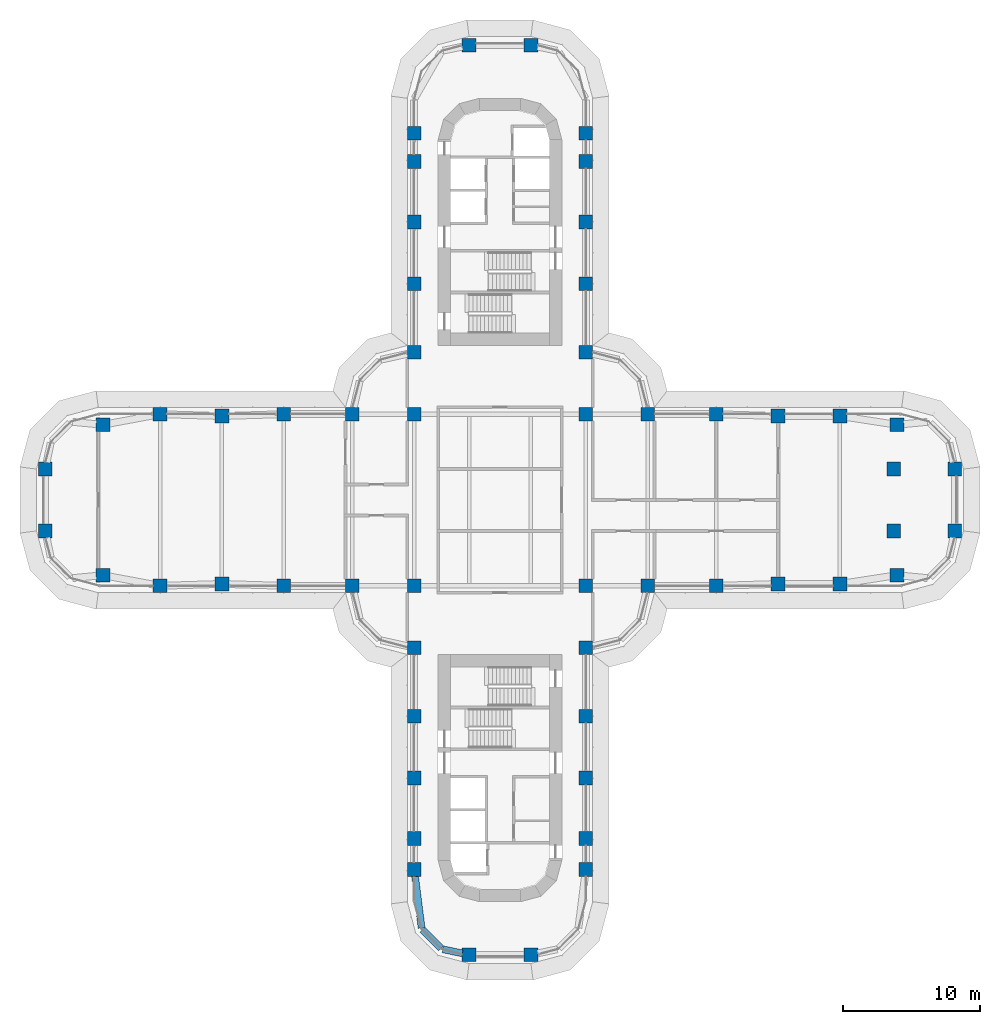
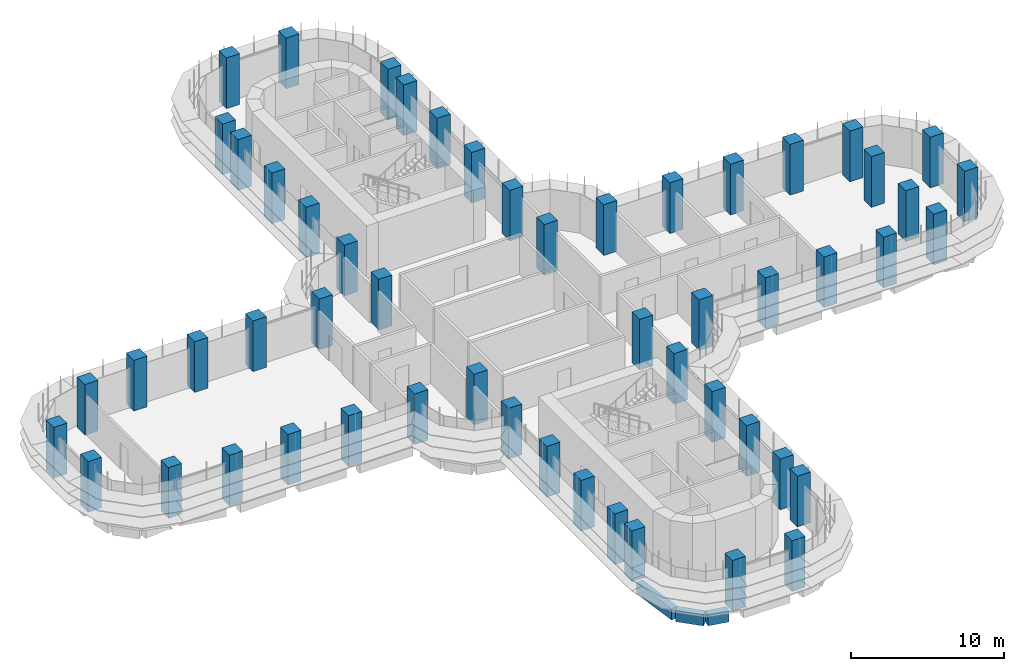
# One storey, part 1 of 23: 54 columns, 3 beams.
"""IFC4 building model written with IfcOpenShell, lengths in metres."""

from ifc_helpers import new_model, si_unit, direction, frame, origin, origin_2d, place, context, subcontext, project, spatial, rectangle, extrude, material, material_profile, profile_set, type_object, element, save


model = new_model("IFC4")

# Units and contexts
model_context = context("Model", 3, precision=1e-05, world=origin(), true_north=direction((0.0, 1.0)))
body_context = subcontext(model_context, "Body", "Model", "MODEL_VIEW")
ifc_project = project(units=[si_unit("LENGTHUNIT", "METRE"), si_unit("AREAUNIT", "SQUARE_METRE"), si_unit("VOLUMEUNIT", "CUBIC_METRE"), si_unit("PLANEANGLEUNIT", "RADIAN"), si_unit("MASSUNIT", "GRAM", prefix="KILO")], contexts=[model_context])

# Site, building, storey
site_placement = place(None, origin())
site = spatial("IfcSite", under=ifc_project, at=site_placement, CompositionType="ELEMENT")
building_placement = place(site_placement, origin())
building = spatial("IfcBuilding", under=site, at=building_placement, Name="Zarbagh Exchange Tower", CompositionType="ELEMENT")
storey_placement = place(building_placement, frame((0.0, 0.0, 77.39990234375)))
storey = spatial("IfcBuildingStorey", under=building, at=storey_placement, Name="L17", CompositionType="ELEMENT", Elevation=77.39990234375)

# Columns
ifc_material = material(Name="Concrete C60/75", Category="concrete")
ifc_material_profile_1 = material_profile(ifc_material, rectangle(XDim=1.0, YDim=1.0, at=origin_2d()), Name="RC column 1000 x 1000 C60/75")
ifc_profile_set_1 = profile_set([ifc_material_profile_1], Name="Concrete C60/75")
column_type = type_object("IfcColumnType", Name="RC column 1000 x 1000 C60/75", PredefinedType="COLUMN", material=ifc_profile_set_1)
for number, where, z_axis, x_axis, name in (
    (1, (-33.110107421875, -2.25, 0.0), (0.0, 0.0, 1.0), (1.0, 0.0, 0.0), "C2 10/S"),
    (2, (-33.110107421875, 2.25, 0.0), (0.0, 0.0, 1.0), (1.0, 0.0, 0.0), "C2 10/T"),
    (3, (-28.907958984375, -5.47509765625, 0.0), (0.0, 0.0, 1.0), (1.0, 0.0, 0.0), "C2 11/R"),
    (4, (-28.907958984375, 5.47509765625, 0.0), (0.0, 0.0, 1.0), (1.0, 0.0, 0.0), "C2 11/U"),
    (5, (-24.75, -6.25, 0.0), (0.0, 0.0, 1.0), (1.0, 0.0, 0.0), "C2 12/R"),
    (6, (-24.75, 6.25, 0.0), (0.0, 0.0, 1.0), (1.0, 0.0, 0.0), "C2 12/U"),
    (7, (-20.25, -6.110107421875, 0.0), (0.0, 0.0, 1.0), (1.0, 0.0, 0.0), "C2 13/R"),
    (8, (-20.25, 6.110107421875, 0.0), (0.0, 0.0, 1.0), (1.0, 0.0, 0.0), "C2 13/U"),
    (9, (-15.75, -6.25, 0.0), (0.0, 0.0, 1.0), (1.0, 0.0, 0.0), "C2 14/R"),
    (10, (-15.75, 6.25, 0.0), (0.0, 0.0, 1.0), (1.0, 0.0, 0.0), "C2 14/U"),
    (11, (-10.75, -6.25, 0.0), (0.0, 0.0, 1.0), (1.0, 0.0, 0.0), "C2 15/R"),
    (12, (-10.75, 6.25, 0.0), (0.0, 0.0, 1.0), (1.0, 0.0, 0.0), "C2 15/U"),
    (13, (-6.25, -26.89990234375, 0.0), (0.0, 0.0, 1.0), (1.0, 0.0, 0.0), "C2 16/L"),
    (14, (-6.25, -24.64990234375, 0.0), (0.0, 0.0, 1.0), (1.0, 0.0, 0.0), "C2 16/M"),
    (15, (-6.25, -20.25, 0.0), (0.0, 0.0, 1.0), (1.0, 0.0, 0.0), "C2 16/N"),
    (16, (-6.25, -15.75, 0.0), (0.0, 0.0, 1.0), (1.0, 0.0, 0.0), "C2 16/P"),
    (17, (-6.25, -10.75, 0.0), (0.0, 0.0, 1.0), (1.0, 0.0, 0.0), "C2 16/Q"),
    (18, (-6.25, -6.25, 0.0), (0.0, 0.0, 1.0), (1.0, 0.0, 0.0), "C2 16/R"),
    (19, (-6.25, 6.25, 0.0), (0.0, 0.0, 1.0), (1.0, 0.0, 0.0), "C2 16/U"),
    (20, (-6.25, 10.75, 0.0), (0.0, 0.0, 1.0), (1.0, 0.0, 0.0), "C2 16/V"),
    (21, (-6.25, 15.75, 0.0), (0.0, 0.0, 1.0), (1.0, 0.0, 0.0), "C2 16/W"),
    (22, (-6.25, 20.25, 0.0), (0.0, 0.0, 1.0), (1.0, 0.0, 0.0), "C2 16/X"),
    (23, (-6.25, 24.64990234375, 0.0), (0.0, 0.0, 1.0), (1.0, 0.0, 0.0), "C2 16/Y"),
    (24, (-6.25, 26.699951171875, 0.0), (0.0, 0.0, 1.0), (1.0, 0.0, 0.0), "C2 16/Z"),
    (25, (-2.25, -33.110107421875, 0.0), (0.0, 0.0, 1.0), (1.0, 0.0, 0.0), "C2 17/K"),
    (26, (-2.25, 33.110107421875, 0.0), (0.0, 0.0, 1.0), (1.0, 0.0, 0.0), "C2 17/AA"),
    (27, (2.25, -33.110107421875, 0.0), (0.0, 0.0, 1.0), (1.0, 0.0, 0.0), "C2 18/K"),
    (28, (2.25, 33.110107421875, 0.0), (0.0, 0.0, 1.0), (1.0, 0.0, 0.0), "C2 18/AA"),
    (29, (6.25, -26.89990234375, 0.0), (0.0, 0.0, 1.0), (1.0, 0.0, 0.0), "C2 19/L"),
    (30, (6.25, -24.64990234375, 0.0), (0.0, 0.0, 1.0), (1.0, 0.0, 0.0), "C2 19/M"),
    (31, (6.25, -20.25, 0.0), (0.0, 0.0, 1.0), (1.0, 0.0, 0.0), "C2 19/N"),
    (32, (6.25, -15.75, 0.0), (0.0, 0.0, 1.0), (1.0, 0.0, 0.0), "C2 19/P"),
    (33, (6.25, -10.75, 0.0), (0.0, 0.0, 1.0), (1.0, 0.0, 0.0), "C2 19/Q"),
    (34, (6.25, -6.25, 0.0), (0.0, 0.0, 1.0), (1.0, 0.0, 0.0), "C2 19/R"),
    (35, (6.25, 6.25, 0.0), (0.0, 0.0, 1.0), (1.0, 0.0, 0.0), "C2 19/U"),
    (36, (6.25, 10.75, 0.0), (0.0, 0.0, 1.0), (1.0, 0.0, 0.0), "C2 19/V"),
    (37, (6.25, 15.75, 0.0), (0.0, 0.0, 1.0), (1.0, 0.0, 0.0), "C2 19/W"),
    (38, (6.25, 20.25, 0.0), (0.0, 0.0, 1.0), (1.0, 0.0, 0.0), "C2 19/X"),
    (39, (6.25, 24.64990234375, 0.0), (0.0, 0.0, 1.0), (1.0, 0.0, 0.0), "C2 19/Y"),
    (40, (6.25, 26.699951171875, 0.0), (0.0, 0.0, 1.0), (1.0, 0.0, 0.0), "C2 19/Z"),
    (41, (10.75, -6.25, 0.0), (0.0, 0.0, 1.0), (1.0, 0.0, 0.0), "C2 20/R"),
    (42, (10.75, 6.25, 0.0), (0.0, 0.0, 1.0), (1.0, 0.0, 0.0), "C2 20/U"),
    (43, (15.75, -6.25, 0.0), (0.0, 0.0, 1.0), (1.0, 0.0, 0.0), "C2 21/R"),
    (44, (15.75, 6.25, 0.0), (0.0, 0.0, 1.0), (1.0, 0.0, 0.0), "C2 21/U"),
    (45, (20.25, -6.110107421875, 0.0), (0.0, 0.0, 1.0), (1.0, 0.0, 0.0), "C2 22/R"),
    (46, (20.25, 6.110107421875, 0.0), (0.0, 0.0, 1.0), (1.0, 0.0, 0.0), "C2 22/U"),
    (47, (24.75, -6.110107421875, 0.0), (0.0, 0.0, 1.0), (1.0, 0.0, 0.0), "C2 23/R"),
    (48, (24.75, 6.110107421875, 0.0), (0.0, 0.0, 1.0), (1.0, 0.0, 0.0), "C2 23/U"),
    (49, (28.907958984375, -5.47509765625, 0.0), (0.0, 0.0, 1.0), (1.0, 0.0, 0.0), "C2 24/R"),
    (50, (28.669921875, -2.25, 0.0), (0.0, 0.0, 1.0), (1.0, 0.0, 0.0), "C2 24/S"),
    (51, (28.669921875, 2.25, 0.0), (0.0, 0.0, 1.0), (1.0, 0.0, 0.0), "C2 24/T"),
    (52, (28.907958984375, 5.47509765625, 0.0), (0.0, 0.0, 1.0), (1.0, 0.0, 0.0), "C2 24/U"),
    (53, (33.110107421875, -2.25, 0.0), (0.0, 0.0, 1.0), (1.0, 0.0, 0.0), "C2 25/S"),
    (54, (33.110107421875, 2.25, 0.0), (0.0, 0.0, 1.0), (1.0, 0.0, 0.0), "C2 25/T"),
):
    element("IfcColumn", number, at=place(storey_placement, frame(where, z_axis=z_axis, x_axis=x_axis)), inside=storey, type_object=column_type, Name=name, PredefinedType="COLUMN", context=body_context, shape_type="SweptSolid", body=[
        extrude(rectangle(XDim=1.0, YDim=1.0, at=origin_2d()), origin(), (0.0, 0.0, 1.0), 4.050048828125),
    ])

# Beams
ifc_material_profile_2 = material_profile(ifc_material, rectangle(XDim=0.5, YDim=0.89990234375, at=origin_2d()), Name="RC spandrel beam 500 x 900 C60/75")
ifc_profile_set_2 = profile_set([ifc_material_profile_2], Name="Concrete C60/75")
beam_type = type_object("IfcBeamType", Name="RC spandrel beam 500 x 900 C60/75", PredefinedType="SPANDREL", material=ifc_profile_set_2)
beam_1_placement = place(storey_placement, frame((-2.73974609375, -33.0087890625, -0.599853515625), z_axis=(-0.9793713725, 0.202068589164, 0.0), x_axis=(-0.202068589164, -0.9793713725, 0.0)))
element("IfcBeam", 55, at=beam_1_placement, inside=storey, type_object=beam_type, Name="RC spandrel beam", PredefinedType="SPANDREL", context=body_context, shape_type="SweptSolid", body=[
    extrude(rectangle(XDim=0.5, YDim=0.89990234375, at=origin_2d()), origin(), (0.0, 0.0, 1.0), 1.458251953125),
])
beam_2_placement = place(storey_placement, frame((-4.294189453125, -32.64599609375, -0.599853515625), z_axis=(-0.707042571718, 0.707170984825, 0.0), x_axis=(-0.707170984825, -0.707042571718, 0.0)))
element("IfcBeam", 56, at=beam_2_placement, inside=storey, type_object=beam_type, Name="RC spandrel beam", PredefinedType="SPANDREL", context=body_context, shape_type="SweptSolid", body=[
    extrude(rectangle(XDim=0.5, YDim=0.89990234375, at=origin_2d()), origin(), (0.0, 0.0, 1.0), 1.901123046875),
])
beam_3_placement = place(storey_placement, frame((-5.709716796875, -31.156494140625, -0.599853515625), z_axis=(-0.12591317752, 0.992041265133, 0.0), x_axis=(-0.992041265133, -0.12591317752, 0.0)))
element("IfcBeam", 57, at=beam_3_placement, inside=storey, type_object=beam_type, Name="RC spandrel beam", PredefinedType="SPANDREL", context=body_context, shape_type="SweptSolid", body=[
    extrude(rectangle(XDim=0.5, YDim=0.89990234375, at=origin_2d()), origin(), (0.0, 0.0, 1.0), 3.790771484375),
])

save(model, "model.ifc")
